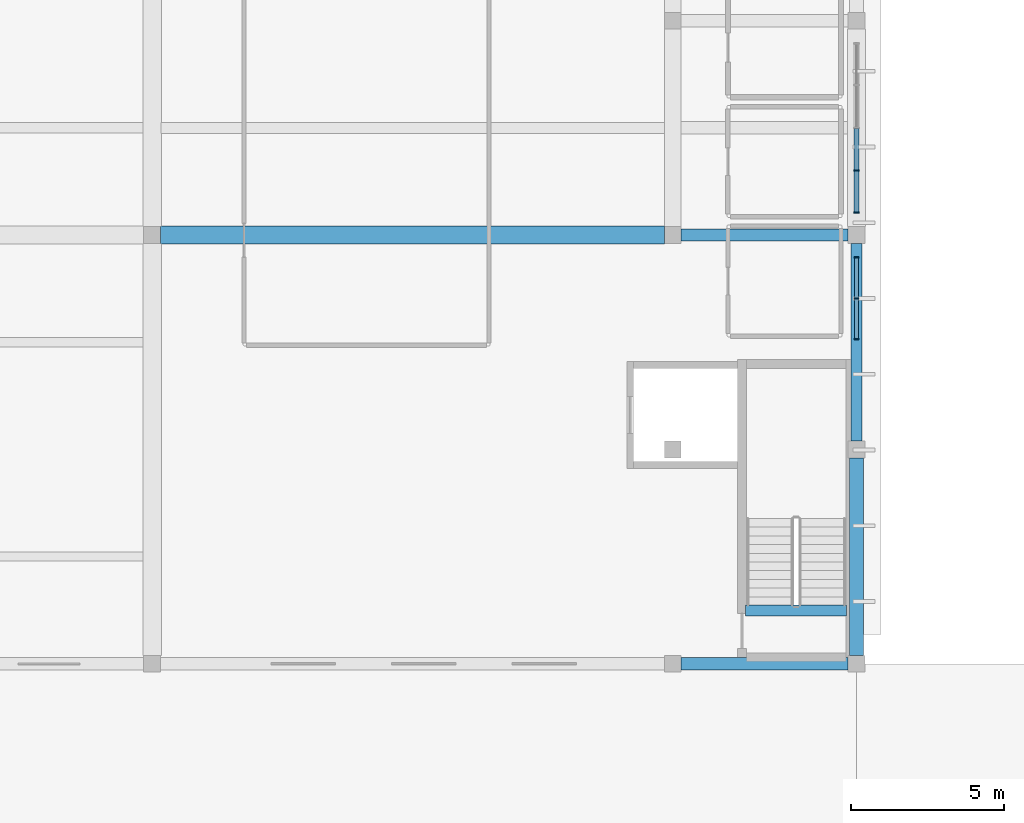
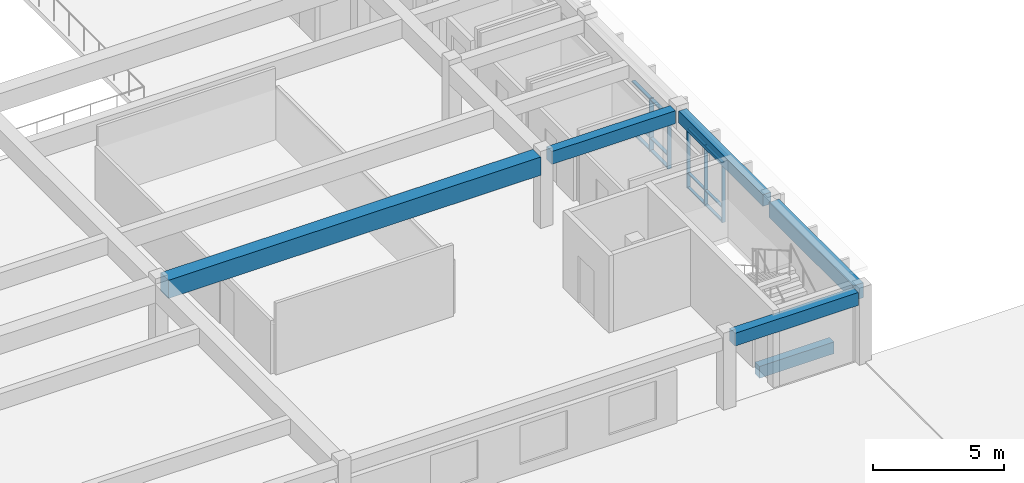
# One storey, part 5 of 23: 17 members, 6 beams, 2 elements without a shape of their own.
"""IFC4 building model written with IfcOpenShell, lengths in metres."""

from ifc_helpers import new_model, si_unit, direction, frame, origin, origin_2d, place, context, subcontext, project, spatial, rectangle, extrude, material, material_profile, profile_set, type_object, element, aggregate, save


model = new_model("IFC4")

# Units and contexts
model_context = context("Model", 3, precision=1e-05, world=origin(), true_north=direction((0.0, 1.0)))
body_context = subcontext(model_context, "Body", "Model", "MODEL_VIEW")
ifc_project = project(units=[si_unit("LENGTHUNIT", "METRE"), si_unit("AREAUNIT", "SQUARE_METRE"), si_unit("VOLUMEUNIT", "CUBIC_METRE"), si_unit("PLANEANGLEUNIT", "RADIAN"), si_unit("MASSUNIT", "GRAM", prefix="KILO")], contexts=[model_context])

# Site, building, storey
site_placement = place(None, origin())
site = spatial("IfcSite", under=ifc_project, at=site_placement, CompositionType="ELEMENT")
building_placement = place(site_placement, origin())
building = spatial("IfcBuilding", under=site, at=building_placement, Name="Larkveld Mobility Hub", CompositionType="ELEMENT")
storey_placement = place(building_placement, frame((0.0, 0.0, 19.199951171875)))
storey = spatial("IfcBuildingStorey", under=building, at=storey_placement, Name="L05", CompositionType="ELEMENT", Elevation=19.199951171875)

# Beams
ifc_material_1 = material(Name="Precast concrete C50/60", Category="concrete")
ifc_material_profile_1 = material_profile(ifc_material_1, rectangle(XDim=0.60009765625, YDim=0.85009765625, at=origin_2d()), Name="PC ITB 600x850")
ifc_profile_set_1 = profile_set([ifc_material_profile_1], Name="Precast concrete C50/60")
beam_type_1 = type_object("IfcBeamType", Name="BM-ITB6085", PredefinedType="T_BEAM", material=ifc_profile_set_1)
beam_1_placement = place(storey_placement, frame((129.27490234375, 42.0, 2.93505859375), z_axis=(1.0, 0.0, 0.0), x_axis=(0.0, 1.0, 0.0)))
element("IfcBeam", 1, at=beam_1_placement, inside=storey, type_object=beam_type_1, Name="Primary E-W Girder L05-0948", PredefinedType="T_BEAM", context=body_context, shape_type="SweptSolid", body=[
    extrude(rectangle(XDim=0.60009765625, YDim=0.85009765625, at=origin_2d()), origin(), (0.0, 0.0, 1.0), 16.4501953125),
])
ifc_material_2 = material(Name="Concrete C40/50", Category="concrete")
ifc_material_profile_2 = material_profile(ifc_material_2, rectangle(XDim=0.35009765625, YDim=0.550048828125, at=origin_2d()), Name="RC BM 350x550")
ifc_profile_set_2 = profile_set([ifc_material_profile_2], Name="Concrete C40/50")
beam_type_2 = type_object("IfcBeamType", Name="BM-RC3555", PredefinedType="BEAM", material=ifc_profile_set_2)
beam_2_placement = place(storey_placement, frame((152.0, 35.27490234375, 3.0849609375), z_axis=(0.0, 1.0, 0.0), x_axis=(-1.0, 0.0, 0.0)))
element("IfcBeam", 2, at=beam_2_placement, inside=storey, type_object=beam_type_2, Name="Primary N-S Girder L05-0980", PredefinedType="BEAM", context=body_context, shape_type="SweptSolid", body=[
    extrude(rectangle(XDim=0.35009765625, YDim=0.550048828125, at=origin_2d()), origin(), (0.0, 0.0, 1.0), 6.4501953125),
])
beam_3_placement = place(storey_placement, frame((148.3798828125, 29.739990234375, -0.27001953125), z_axis=(1.0, 0.0, 0.0), x_axis=(0.0, 1.0, 0.0)))
element("IfcBeam", 3, at=beam_3_placement, inside=storey, type_object=beam_type_2, Name="Core C1 Stair Header Beam L05", PredefinedType="BEAM", context=body_context, shape_type="SweptSolid", body=[
    extrude(rectangle(XDim=0.35009765625, YDim=0.550048828125, at=origin_2d()), origin(), (0.0, 0.0, 1.0), 3.2900390625),
])
ifc_material_profile_3 = material_profile(ifc_material_2, rectangle(XDim=0.39990234375, YDim=0.60009765625, at=origin_2d()), Name="RC BM 400x600")
ifc_profile_set_3 = profile_set([ifc_material_profile_3], Name="Concrete C40/50")
beam_type_3 = type_object("IfcBeamType", Name="BM-RC4060", PredefinedType="BEAM", material=ifc_profile_set_3)
for number, where, z_axis, x_axis, name in (
    (4, (146.27490234375, 28.0, 3.06005859375), (1.0, 0.0, 0.0), (0.0, 1.0, 0.0), "Primary E-W Girder L05-0946"),
    (5, (146.27490234375, 42.0, 3.06005859375), (1.0, 0.0, 0.0), (0.0, 1.0, 0.0), "Primary E-W Girder L05-0949"),
):
    element("IfcBeam", number, at=place(storey_placement, frame(where, z_axis=z_axis, x_axis=x_axis)), inside=storey, type_object=beam_type_3, Name=name, PredefinedType="BEAM", context=body_context, shape_type="SweptSolid", body=[
        extrude(rectangle(XDim=0.39990234375, YDim=0.60009765625, at=origin_2d()), origin(), (0.0, 0.0, 1.0), 5.4501953125),
    ])
ifc_material_profile_4 = material_profile(ifc_material_2, rectangle(XDim=0.449951171875, YDim=0.699951171875, at=origin_2d()), Name="RC BM 450x700")
ifc_profile_set_4 = profile_set([ifc_material_profile_4], Name="Concrete C40/50")
beam_type_4 = type_object("IfcBeamType", Name="BM-RC4570", PredefinedType="BEAM", material=ifc_profile_set_4)
beam_4_placement = place(storey_placement, frame((152.0, 28.27490234375, 3.010009765625), z_axis=(0.0, 1.0, 0.0), x_axis=(-1.0, 0.0, 0.0)))
element("IfcBeam", 6, at=beam_4_placement, inside=storey, type_object=beam_type_4, Name="Primary N-S Girder L05-0979", PredefinedType="BEAM", context=body_context, shape_type="SweptSolid", body=[
    extrude(rectangle(XDim=0.449951171875, YDim=0.699951171875, at=origin_2d()), origin(), (0.0, 0.0, 1.0), 6.4501953125),
])

# Curtain wall, members
ifc_material_3 = material(Name="Anodised aluminium 6063-T6", Category="aluminium")
curtain_wall_type_1 = type_object("IfcCurtainWallType", Name="CW-SYS-09", PredefinedType="NOTDEFINED", material=ifc_material_3)
curtain_wall_1_placement = place(storey_placement, origin())
curtain_wall_1 = element("IfcCurtainWall", 7, at=curtain_wall_1_placement, inside=storey, type_object=curtain_wall_type_1, Name="Upper Mobility and Sports East Glazing L05 CW-165", PredefinedType="NOTDEFINED")
ifc_material_profile_5 = material_profile(ifc_material_3, rectangle(XDim=0.050048828125, YDim=0.14990234375, at=origin_2d()), Name="ALU MULL 50x150")
ifc_profile_set_5 = profile_set([ifc_material_profile_5], Name="Anodised aluminium 6063-T6")
member_type_1 = type_object("IfcMemberType", Name="CW-MUL-01", PredefinedType="MULLION", material=ifc_profile_set_5)
member_1_placement = place(storey_placement, frame((152.0, 38.60498046875, -0.001953125), z_axis=(0.0, 0.0, 1.0), x_axis=(0.0, 1.0, 0.0)))
member_1 = element("IfcMember", 8, at=member_1_placement, type_object=member_type_1, Name="CW09 mullion 1", PredefinedType="MULLION", context=body_context, shape_type="SweptSolid", body=[
    extrude(rectangle(XDim=0.050048828125, YDim=0.14990234375, at=origin_2d()), origin(), (0.0, 0.0, 1.0), 2.81201171875),
])
member_2_placement = place(storey_placement, frame((152.0, 39.931884765625, -0.001953125), z_axis=(0.0, 0.0, 1.0), x_axis=(0.0, 1.0, 0.0)))
member_2 = element("IfcMember", 9, at=member_2_placement, type_object=member_type_1, Name="CW09 mullion 2", PredefinedType="MULLION", context=body_context, shape_type="SweptSolid", body=[
    extrude(rectangle(XDim=0.050048828125, YDim=0.14990234375, at=origin_2d()), origin(), (0.0, 0.0, 1.0), 2.81201171875),
])
member_3_placement = place(storey_placement, frame((152.0, 41.260009765625, -0.001953125), z_axis=(0.0, 0.0, 1.0), x_axis=(0.0, 1.0, 0.0)))
member_3 = element("IfcMember", 10, at=member_3_placement, type_object=member_type_1, Name="CW09 mullion 3", PredefinedType="MULLION", context=body_context, shape_type="SweptSolid", body=[
    extrude(rectangle(XDim=0.050048828125, YDim=0.14990234375, at=origin_2d()), origin(), (0.0, 0.0, 1.0), 2.81201171875),
])

curtain_wall_type_2 = type_object("IfcCurtainWallType", Name="CW-SYS-10", PredefinedType="NOTDEFINED", material=ifc_material_3)
curtain_wall_2_placement = place(storey_placement, origin())
curtain_wall_2 = element("IfcCurtainWall", 11, at=curtain_wall_2_placement, inside=storey, type_object=curtain_wall_type_2, Name="Upper Mobility and Sports East Glazing L05 CW-166", PredefinedType="NOTDEFINED")
ifc_material_profile_6 = material_profile(ifc_material_3, rectangle(XDim=0.050048828125, YDim=0.179931640625, at=origin_2d()), Name="ALU MULL 50x180")
ifc_profile_set_6 = profile_set([ifc_material_profile_6], Name="Anodised aluminium 6063-T6")
member_type_2 = type_object("IfcMemberType", Name="CW-MUL-02", PredefinedType="MULLION", material=ifc_profile_set_6)
member_4_placement = place(storey_placement, frame((152.0, 42.739990234375, -0.001953125), z_axis=(0.0, 0.0, 1.0), x_axis=(0.0, 1.0, 0.0)))
member_4 = element("IfcMember", 12, at=member_4_placement, type_object=member_type_2, Name="CW10 mullion 1", PredefinedType="MULLION", context=body_context, shape_type="SweptSolid", body=[
    extrude(rectangle(XDim=0.050048828125, YDim=0.179931640625, at=origin_2d()), origin(), (0.0, 0.0, 1.0), 2.4619140625),
])
member_5_placement = place(storey_placement, frame((152.0, 44.10791015625, -0.001953125), z_axis=(0.0, 0.0, 1.0), x_axis=(0.0, 1.0, 0.0)))
member_5 = element("IfcMember", 13, at=member_5_placement, type_object=member_type_2, Name="CW10 mullion 2", PredefinedType="MULLION", context=body_context, shape_type="SweptSolid", body=[
    extrude(rectangle(XDim=0.050048828125, YDim=0.179931640625, at=origin_2d()), origin(), (0.0, 0.0, 1.0), 2.4619140625),
])

# Member
ifc_material_profile_7 = material_profile(ifc_material_3, rectangle(XDim=0.1201171875, YDim=0.050048828125, at=origin_2d()), Name="ALU TRAN 50x120")
ifc_profile_set_7 = profile_set([ifc_material_profile_7], Name="Anodised aluminium 6063-T6")
member_type_3 = type_object("IfcMemberType", Name="CW-TRN-01", PredefinedType="USERDEFINED", material=ifc_profile_set_7)
member_6_placement = place(storey_placement, frame((152.0, 38.614990234375, 0.030029296875), z_axis=(0.0, 1.0, 0.0), x_axis=(-1.0, 0.0, 0.0)))
member_6 = element("IfcMember", 14, at=member_6_placement, type_object=member_type_3, Name="CW09 transom 1.1", ObjectType="TRANSOM", PredefinedType="USERDEFINED", context=body_context, shape_type="SweptSolid", body=[
    extrude(rectangle(XDim=0.1201171875, YDim=0.050048828125, at=origin_2d()), origin(), (0.0, 0.0, 1.0), 1.302001953125),
])

member_7_placement = place(storey_placement, frame((152.0, 38.614990234375, 0.7021484375), z_axis=(0.0, 1.0, 0.0), x_axis=(-1.0, 0.0, 0.0)))
member_7 = element("IfcMember", 15, at=member_7_placement, type_object=member_type_3, Name="CW09 transom 1.2", ObjectType="TRANSOM", PredefinedType="USERDEFINED", context=body_context, shape_type="SweptSolid", body=[
    extrude(rectangle(XDim=0.1201171875, YDim=0.050048828125, at=origin_2d()), origin(), (0.0, 0.0, 1.0), 1.302001953125),
])

member_8_placement = place(storey_placement, frame((152.0, 38.614990234375, 2.778076171875), z_axis=(0.0, 1.0, 0.0), x_axis=(-1.0, 0.0, 0.0)))
member_8 = element("IfcMember", 16, at=member_8_placement, type_object=member_type_3, Name="CW09 transom 1.3", ObjectType="TRANSOM", PredefinedType="USERDEFINED", context=body_context, shape_type="SweptSolid", body=[
    extrude(rectangle(XDim=0.1201171875, YDim=0.050048828125, at=origin_2d()), origin(), (0.0, 0.0, 1.0), 1.302001953125),
])

member_9_placement = place(storey_placement, frame((152.0, 39.947021484375, 0.030029296875), z_axis=(0.0, 1.0, 0.0), x_axis=(-1.0, 0.0, 0.0)))
member_9 = element("IfcMember", 17, at=member_9_placement, type_object=member_type_3, Name="CW09 transom 2.1", ObjectType="TRANSOM", PredefinedType="USERDEFINED", context=body_context, shape_type="SweptSolid", body=[
    extrude(rectangle(XDim=0.1201171875, YDim=0.050048828125, at=origin_2d()), origin(), (0.0, 0.0, 1.0), 1.302978515625),
])

member_10_placement = place(storey_placement, frame((152.0, 39.947021484375, 0.7021484375), z_axis=(0.0, 1.0, 0.0), x_axis=(-1.0, 0.0, 0.0)))
member_10 = element("IfcMember", 18, at=member_10_placement, type_object=member_type_3, Name="CW09 transom 2.2", ObjectType="TRANSOM", PredefinedType="USERDEFINED", context=body_context, shape_type="SweptSolid", body=[
    extrude(rectangle(XDim=0.1201171875, YDim=0.050048828125, at=origin_2d()), origin(), (0.0, 0.0, 1.0), 1.302978515625),
])

member_11_placement = place(storey_placement, frame((152.0, 39.947021484375, 2.778076171875), z_axis=(0.0, 1.0, 0.0), x_axis=(-1.0, 0.0, 0.0)))
member_11 = element("IfcMember", 19, at=member_11_placement, type_object=member_type_3, Name="CW09 transom 2.3", ObjectType="TRANSOM", PredefinedType="USERDEFINED", context=body_context, shape_type="SweptSolid", body=[
    extrude(rectangle(XDim=0.1201171875, YDim=0.050048828125, at=origin_2d()), origin(), (0.0, 0.0, 1.0), 1.302978515625),
])

aggregate(curtain_wall_1, [member_1, member_2, member_3, member_6, member_7, member_8, member_9, member_10, member_11])

ifc_material_profile_8 = material_profile(ifc_material_3, rectangle(XDim=0.14990234375, YDim=0.050048828125, at=origin_2d()), Name="ALU TRAN 50x150")
ifc_profile_set_8 = profile_set([ifc_material_profile_8], Name="Anodised aluminium 6063-T6")
member_type_4 = type_object("IfcMemberType", Name="CW-TRN-02", PredefinedType="USERDEFINED", material=ifc_profile_set_8)
member_12_placement = place(storey_placement, frame((152.0, 42.75, 0.030029296875), z_axis=(0.0, 1.0, 0.0), x_axis=(-1.0, 0.0, 0.0)))
member_12 = element("IfcMember", 20, at=member_12_placement, type_object=member_type_4, Name="CW10 transom 1.1", ObjectType="TRANSOM", PredefinedType="USERDEFINED", context=body_context, shape_type="SweptSolid", body=[
    extrude(rectangle(XDim=0.14990234375, YDim=0.050048828125, at=origin_2d()), origin(), (0.0, 0.0, 1.0), 1.343017578125),
])

member_13_placement = place(storey_placement, frame((152.0, 42.75, 0.614013671875), z_axis=(0.0, 1.0, 0.0), x_axis=(-1.0, 0.0, 0.0)))
member_13 = element("IfcMember", 21, at=member_13_placement, type_object=member_type_4, Name="CW10 transom 1.2", ObjectType="TRANSOM", PredefinedType="USERDEFINED", context=body_context, shape_type="SweptSolid", body=[
    extrude(rectangle(XDim=0.14990234375, YDim=0.050048828125, at=origin_2d()), origin(), (0.0, 0.0, 1.0), 1.343017578125),
])

member_14_placement = place(storey_placement, frame((152.0, 42.75, 2.427978515625), z_axis=(0.0, 1.0, 0.0), x_axis=(-1.0, 0.0, 0.0)))
member_14 = element("IfcMember", 22, at=member_14_placement, type_object=member_type_4, Name="CW10 transom 1.3", ObjectType="TRANSOM", PredefinedType="USERDEFINED", context=body_context, shape_type="SweptSolid", body=[
    extrude(rectangle(XDim=0.14990234375, YDim=0.050048828125, at=origin_2d()), origin(), (0.0, 0.0, 1.0), 1.343017578125),
])

member_15_placement = place(storey_placement, frame((152.0, 44.123046875, 0.030029296875), z_axis=(0.0, 1.0, 0.0), x_axis=(-1.0, 0.0, 0.0)))
member_15 = element("IfcMember", 23, at=member_15_placement, type_object=member_type_4, Name="CW10 transom 2.1", ObjectType="TRANSOM", PredefinedType="USERDEFINED", context=body_context, shape_type="SweptSolid", body=[
    extrude(rectangle(XDim=0.14990234375, YDim=0.050048828125, at=origin_2d()), origin(), (0.0, 0.0, 1.0), 1.362060546875),
])

member_16_placement = place(storey_placement, frame((152.0, 44.123046875, 0.614013671875), z_axis=(0.0, 1.0, 0.0), x_axis=(-1.0, 0.0, 0.0)))
member_16 = element("IfcMember", 24, at=member_16_placement, type_object=member_type_4, Name="CW10 transom 2.2", ObjectType="TRANSOM", PredefinedType="USERDEFINED", context=body_context, shape_type="SweptSolid", body=[
    extrude(rectangle(XDim=0.14990234375, YDim=0.050048828125, at=origin_2d()), origin(), (0.0, 0.0, 1.0), 1.362060546875),
])

member_17_placement = place(storey_placement, frame((152.0, 44.123046875, 2.427978515625), z_axis=(0.0, 1.0, 0.0), x_axis=(-1.0, 0.0, 0.0)))
member_17 = element("IfcMember", 25, at=member_17_placement, type_object=member_type_4, Name="CW10 transom 2.3", ObjectType="TRANSOM", PredefinedType="USERDEFINED", context=body_context, shape_type="SweptSolid", body=[
    extrude(rectangle(XDim=0.14990234375, YDim=0.050048828125, at=origin_2d()), origin(), (0.0, 0.0, 1.0), 1.362060546875),
])

aggregate(curtain_wall_2, [member_4, member_5, member_12, member_13, member_14, member_15, member_16, member_17])

save(model, "model.ifc")
